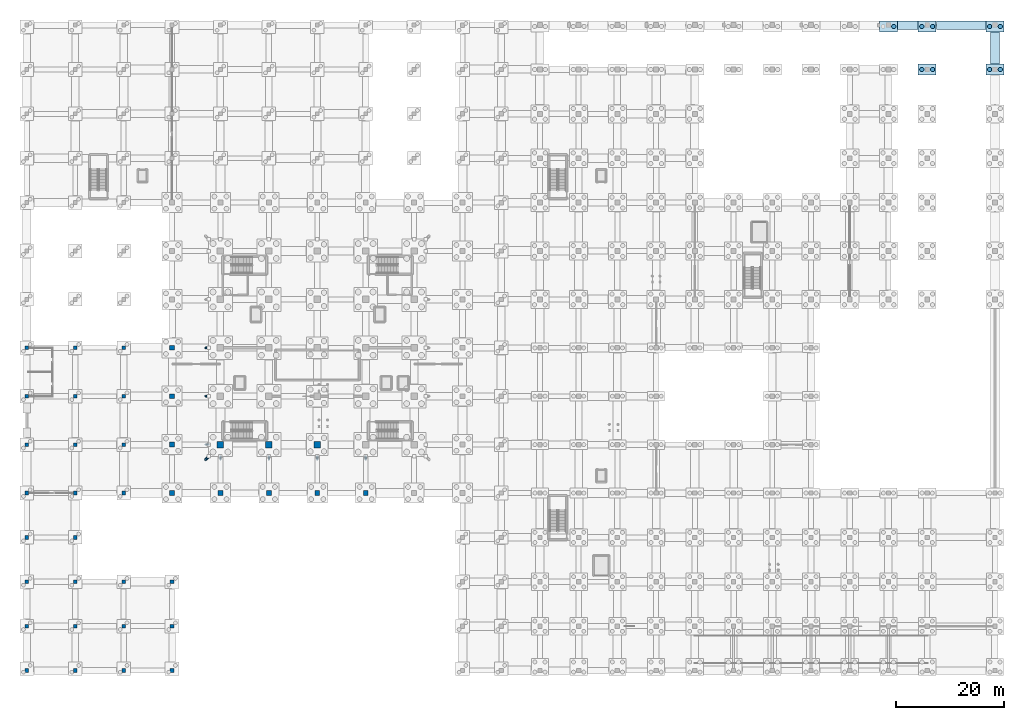
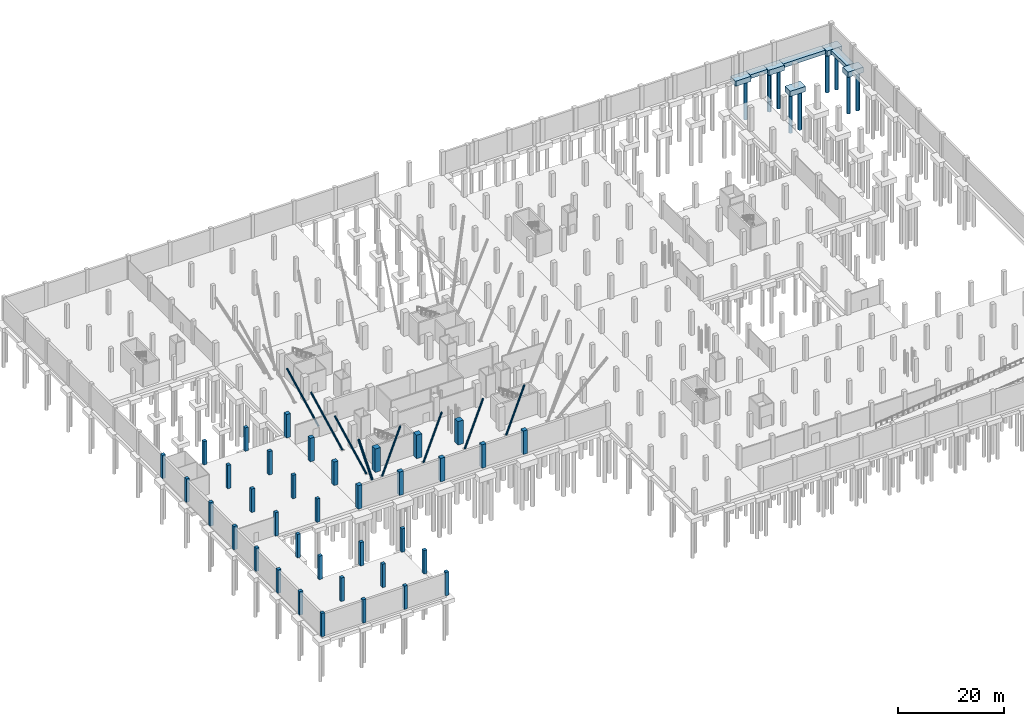
# One storey, part 12 of 42: 45 columns, 9 piles, 8 footings.
"""IFC4 building model written with IfcOpenShell, lengths in metres."""

from ifc_helpers import new_model, si_unit, direction, frame, origin, origin_2d, place, context, subcontext, project, spatial, rectangle, circle, hollow_circle, extrude, material, material_profile, profile_set, type_object, element, save


model = new_model("IFC4")

# Units and contexts
model_context = context("Model", 3, precision=1e-05, world=origin(), true_north=direction((0.0, 1.0)))
body_context = subcontext(model_context, "Body", "Model", "MODEL_VIEW")
ifc_project = project(units=[si_unit("LENGTHUNIT", "METRE"), si_unit("AREAUNIT", "SQUARE_METRE"), si_unit("VOLUMEUNIT", "CUBIC_METRE"), si_unit("PLANEANGLEUNIT", "RADIAN"), si_unit("MASSUNIT", "GRAM", prefix="KILO")], contexts=[model_context])

# Site, building, storey
site_placement = place(None, origin())
site = spatial("IfcSite", under=ifc_project, at=site_placement, CompositionType="ELEMENT")
building_placement = place(site_placement, origin())
building = spatial("IfcBuilding", under=site, at=building_placement, Name="Sundgate Opera House", CompositionType="ELEMENT")
storey_placement = place(building_placement, frame((0.0, 0.0, -5.39990234375)))
storey = spatial("IfcBuildingStorey", under=building, at=storey_placement, Name="B01", CompositionType="ELEMENT", Elevation=-5.39990234375)

# Footings
ifc_material_1 = material(Name="Concrete C40/50", Category="concrete")
footing_type_1 = type_object("IfcFootingType", Name="FT-PC-3360x2000x1200", PredefinedType="PILE_CAP", material=ifc_material_1)
for number, where, z_axis, x_axis, name in (
    (1, (160.199951171875, 119.75, -1.2001953125), (0.0, 0.0, 1.0), (1.0, 0.0, 0.0), "Pile Cap F0279"),
    (2, (167.39990234375, 111.75, -1.2001953125), (0.0, 0.0, 1.0), (1.0, 0.0, 0.0), "Pile Cap F0290"),
    (3, (167.39990234375, 119.75, -1.2001953125), (0.0, 0.0, 1.0), (1.0, 0.0, 0.0), "Pile Cap F0291"),
    (4, (180.0, 111.75, -1.2001953125), (0.0, 0.0, 1.0), (1.0, 0.0, 0.0), "Pile Cap F0302"),
    (5, (180.0, 119.75, -1.2001953125), (0.0, 0.0, 1.0), (1.0, 0.0, 0.0), "Pile Cap F0303"),
):
    element("IfcFooting", number, at=place(storey_placement, frame(where, z_axis=z_axis, x_axis=x_axis)), inside=storey, type_object=footing_type_1, Name=name, PredefinedType="PILE_CAP", context=body_context, shape_type="SweptSolid", body=[
        extrude(rectangle(XDim=3.360107421875, YDim=2.0, at=origin_2d()), origin(), (0.0, 0.0, 1.0), 1.199951171875),
    ])
ifc_material_2 = material(Name="Concrete C35/45", Category="concrete")
footing_type_2 = type_object("IfcFootingType", Name="FT-STR-1600x900", PredefinedType="STRIP_FOOTING", material=ifc_material_2)
footing_1_placement = place(storey_placement, frame((163.800048828125, 120.0, -0.900146484375), z_axis=(0.0, 0.0, 1.0), x_axis=(1.0, 0.0, 0.0)))
element("IfcFooting", 6, at=footing_1_placement, inside=storey, type_object=footing_type_2, Name="Retaining Wall Strip Footing F0791", PredefinedType="STRIP_FOOTING", context=body_context, shape_type="SweptSolid", body=[
    extrude(rectangle(XDim=3.7900390625, YDim=1.60009765625, at=origin_2d()), origin(), (0.0, 0.0, 1.0), 0.89990234375),
])
footing_2_placement = place(storey_placement, frame((173.699951171875, 120.0, -0.900146484375), z_axis=(0.0, 0.0, 1.0), x_axis=(1.0, 0.0, 0.0)))
element("IfcFooting", 7, at=footing_2_placement, inside=storey, type_object=footing_type_2, Name="Retaining Wall Strip Footing F0792", PredefinedType="STRIP_FOOTING", context=body_context, shape_type="SweptSolid", body=[
    extrude(rectangle(XDim=9.18994140625, YDim=1.60009765625, at=origin_2d()), origin(), (0.0, 0.0, 1.0), 0.89990234375),
])
footing_3_placement = place(storey_placement, frame((180.0, 115.75, -0.900146484375), z_axis=(0.0, 0.0, 1.0), x_axis=(1.0, 0.0, 0.0)))
element("IfcFooting", 8, at=footing_3_placement, inside=storey, type_object=footing_type_2, Name="Retaining Wall Strip Footing F0799", PredefinedType="STRIP_FOOTING", context=body_context, shape_type="SweptSolid", body=[
    extrude(rectangle(XDim=1.60009765625, YDim=5.949951171875, at=origin_2d()), origin(), (0.0, 0.0, 1.0), 0.89990234375),
])

# Piles
ifc_material_3 = material(Name="Concrete C40/50", Category="concrete")
ifc_material_profile_1 = material_profile(ifc_material_3, circle(Radius=0.39990234375, at=origin_2d()), Name="PILE D800")
ifc_profile_set_1 = profile_set([ifc_material_profile_1], Name="Concrete C40/50")
pile_type = type_object("IfcPileType", Name="PL-800", PredefinedType="BORED", material=ifc_profile_set_1)
for number, where, z_axis, x_axis, name in (
    (9, (161.199951171875, 119.75, -1.10009765625), (0.0, 0.0, -1.0), (1.0, 0.0, 0.0), "Rock-Socketed Pile P0824"),
    (10, (166.39990234375, 111.75, -1.10009765625), (0.0, 0.0, -1.0), (1.0, 0.0, 0.0), "Rock-Socketed Pile P0863"),
    (11, (168.39990234375, 111.75, -1.10009765625), (0.0, 0.0, -1.0), (1.0, 0.0, 0.0), "Rock-Socketed Pile P0864"),
    (12, (166.39990234375, 119.75, -1.10009765625), (0.0, 0.0, -1.0), (1.0, 0.0, 0.0), "Rock-Socketed Pile P0865"),
    (13, (168.39990234375, 119.75, -1.10009765625), (0.0, 0.0, -1.0), (1.0, 0.0, 0.0), "Rock-Socketed Pile P0866"),
    (14, (179.0, 111.75, -1.10009765625), (0.0, 0.0, -1.0), (1.0, 0.0, 0.0), "Rock-Socketed Pile P0905"),
    (15, (181.0, 111.75, -1.10009765625), (0.0, 0.0, -1.0), (1.0, 0.0, 0.0), "Rock-Socketed Pile P0906"),
    (16, (179.0, 119.75, -1.10009765625), (0.0, 0.0, -1.0), (1.0, 0.0, 0.0), "Rock-Socketed Pile P0907"),
    (17, (181.0, 119.75, -1.10009765625), (0.0, 0.0, -1.0), (1.0, 0.0, 0.0), "Rock-Socketed Pile P0908"),
):
    element("IfcPile", number, at=place(storey_placement, frame(where, z_axis=z_axis, x_axis=x_axis)), inside=storey, type_object=pile_type, Name=name, PredefinedType="BORED", context=body_context, shape_type="SweptSolid", body=[
        extrude(circle(Radius=0.39990234375, at=origin_2d()), origin(), (0.0, 0.0, 1.0), 9.10009765625),
    ])

# Columns
ifc_material_4 = material(Name="Steel S355ML", Category="steel")
ifc_material_profile_2 = material_profile(ifc_material_4, hollow_circle(Radius=0.203125, WallThickness=0.02001953125, at=origin_2d()), Name="CHS 406.4x20.0")
ifc_profile_set_2 = profile_set([ifc_material_profile_2], Name="Steel S355ML")
column_type_1 = type_object("IfcColumnType", Name="CL-CHS-406", PredefinedType="COLUMN", material=ifc_profile_set_2)
for number, where, z_axis, x_axis, name in (
    (18, (36.0, 39.800048828125, 0.0), (0.0, -0.400670920662, 0.916222032772), (1.0, 0.0, 0.0), "Cantilever Raking Column C1264"),
    (19, (45.0, 39.800048828125, 0.0), (0.0, -0.400670920662, 0.916222032772), (1.0, 0.0, 0.0), "Cantilever Raking Column C1265"),
    (20, (54.0, 39.800048828125, 0.0), (0.0, -0.400670920662, 0.916222032772), (1.0, 0.0, 0.0), "Cantilever Raking Column C1266"),
    (21, (63.0, 39.800048828125, 0.0), (0.0, -0.400670920662, 0.916222032772), (1.0, 0.0, 0.0), "Cantilever Raking Column C1267"),
    (22, (33.800048828125, 42.0, 0.0), (-0.400670920662, 0.0, 0.916222032772), (0.0, -1.0, 0.0), "Cantilever Raking Column C1274"),
    (23, (33.800048828125, 51.0, 0.0), (-0.400670920662, 0.0, 0.916222032772), (0.0, -1.0, 0.0), "Cantilever Raking Column C1275"),
    (24, (33.800048828125, 60.0, 0.0), (-0.400670920662, 0.0, 0.916222032772), (0.0, -1.0, 0.0), "Cantilever Raking Column C1276"),
):
    element("IfcColumn", number, at=place(storey_placement, frame(where, z_axis=z_axis, x_axis=x_axis)), inside=storey, type_object=column_type_1, Name=name, PredefinedType="COLUMN", context=body_context, shape_type="SweptSolid", body=[
        extrude(hollow_circle(Radius=0.203125, WallThickness=0.02001953125, at=origin_2d()), origin(), (0.0, 0.0, 1.0), 16.9716796875),
    ])
ifc_material_5 = material(Name="Steel S355ML", Category="steel")
ifc_material_profile_3 = material_profile(ifc_material_5, hollow_circle(Radius=0.25390625, WallThickness=0.02490234375, at=origin_2d()), Name="CHS 508x25.0")
ifc_profile_set_3 = profile_set([ifc_material_profile_3], Name="Steel S355ML")
column_type_2 = type_object("IfcColumnType", Name="CL-CHS-508", PredefinedType="COLUMN", material=ifc_profile_set_3)
column_placement = place(storey_placement, frame((33.800048828125, 39.800048828125, 0.0), z_axis=(-0.371927502201, -0.371927502201, 0.850493895459), x_axis=(0.707106781187, -0.707106781187, 0.0)))
element("IfcColumn", 25, at=column_placement, inside=storey, type_object=column_type_2, Name="Cantilever Raking Column C1284", PredefinedType="COLUMN", context=body_context, shape_type="SweptSolid", body=[
    extrude(hollow_circle(Radius=0.25390625, WallThickness=0.02490234375, at=origin_2d()), origin(), (0.0, 0.0, 1.0), 18.283203125),
])
ifc_material_6 = material(Name="Concrete C45/55", Category="concrete")
ifc_material_profile_4 = material_profile(ifc_material_6, rectangle(XDim=1.199951171875, YDim=1.199951171875, at=origin_2d()), Name="RC 1200x1200")
ifc_profile_set_4 = profile_set([ifc_material_profile_4], Name="Concrete C45/55")
column_type_3 = type_object("IfcColumnType", Name="CL-RC-1200", PredefinedType="COLUMN", material=ifc_profile_set_4)
for number, where, z_axis, x_axis, name in (
    (26, (36.0, 42.0, 0.0), (0.0, 0.0, 1.0), (1.0, 0.0, 0.0), "B01 Column C0220"),
    (27, (45.0, 42.0, 0.0), (0.0, 0.0, 1.0), (1.0, 0.0, 0.0), "B01 Column C0285"),
    (28, (54.0, 42.0, 0.0), (0.0, 0.0, 1.0), (1.0, 0.0, 0.0), "B01 Column C0345"),
):
    element("IfcColumn", number, at=place(storey_placement, frame(where, z_axis=z_axis, x_axis=x_axis)), inside=storey, type_object=column_type_3, Name=name, PredefinedType="COLUMN", context=body_context, shape_type="SweptSolid", body=[
        extrude(rectangle(XDim=1.199951171875, YDim=1.199951171875, at=origin_2d()), origin(), (0.0, 0.0, 1.0), 5.39990234375),
    ])
ifc_material_7 = material(Name="Concrete C40/50", Category="concrete")
ifc_material_profile_5 = material_profile(ifc_material_7, rectangle(XDim=0.699951171875, YDim=0.699951171875, at=origin_2d()), Name="RC 700x700")
ifc_profile_set_5 = profile_set([ifc_material_profile_5], Name="Concrete C40/50")
column_type_4 = type_object("IfcColumnType", Name="CL-RC-700", PredefinedType="COLUMN", material=ifc_profile_set_5)
for number, where, z_axis, x_axis, name in (
    (29, (0.0, 0.0, 0.0), (0.0, 0.0, 1.0), (1.0, 0.0, 0.0), "B01 Column C0001"),
    (30, (0.0, 8.25, 0.0), (0.0, 0.0, 1.0), (1.0, 0.0, 0.0), "B01 Column C0004"),
    (31, (0.0, 16.5, 0.0), (0.0, 0.0, 1.0), (1.0, 0.0, 0.0), "B01 Column C0007"),
    (32, (0.0, 24.75, 0.0), (0.0, 0.0, 1.0), (1.0, 0.0, 0.0), "B01 Column C0010"),
    (33, (0.0, 33.0, 0.0), (0.0, 0.0, 1.0), (1.0, 0.0, 0.0), "B01 Column C0013"),
    (34, (0.0, 42.0, 0.0), (0.0, 0.0, 1.0), (1.0, 0.0, 0.0), "B01 Column C0016"),
    (35, (0.0, 51.0, 0.0), (0.0, 0.0, 1.0), (1.0, 0.0, 0.0), "B01 Column C0019"),
    (36, (0.0, 60.0, 0.0), (0.0, 0.0, 1.0), (1.0, 0.0, 0.0), "B01 Column C0022"),
    (37, (9.0, 0.0, 0.0), (0.0, 0.0, 1.0), (1.0, 0.0, 0.0), "B01 Column C0049"),
    (38, (9.0, 8.25, 0.0), (0.0, 0.0, 1.0), (1.0, 0.0, 0.0), "B01 Column C0052"),
    (39, (9.0, 16.5, 0.0), (0.0, 0.0, 1.0), (1.0, 0.0, 0.0), "B01 Column C0055"),
    (40, (9.0, 24.75, 0.0), (0.0, 0.0, 1.0), (1.0, 0.0, 0.0), "B01 Column C0058"),
    (41, (9.0, 33.0, 0.0), (0.0, 0.0, 1.0), (1.0, 0.0, 0.0), "B01 Column C0061"),
    (42, (9.0, 42.0, 0.0), (0.0, 0.0, 1.0), (1.0, 0.0, 0.0), "B01 Column C0064"),
    (43, (9.0, 51.0, 0.0), (0.0, 0.0, 1.0), (1.0, 0.0, 0.0), "B01 Column C0067"),
    (44, (9.0, 60.0, 0.0), (0.0, 0.0, 1.0), (1.0, 0.0, 0.0), "B01 Column C0070"),
    (45, (18.0, 0.0, 0.0), (0.0, 0.0, 1.0), (1.0, 0.0, 0.0), "B01 Column C0101"),
    (46, (18.0, 8.25, 0.0), (0.0, 0.0, 1.0), (1.0, 0.0, 0.0), "B01 Column C0104"),
    (47, (18.0, 16.5, 0.0), (0.0, 0.0, 1.0), (1.0, 0.0, 0.0), "B01 Column C0107"),
    (48, (18.0, 33.0, 0.0), (0.0, 0.0, 1.0), (1.0, 0.0, 0.0), "B01 Column C0110"),
    (49, (18.0, 42.0, 0.0), (0.0, 0.0, 1.0), (1.0, 0.0, 0.0), "B01 Column C0113"),
    (50, (18.0, 51.0, 0.0), (0.0, 0.0, 1.0), (1.0, 0.0, 0.0), "B01 Column C0116"),
    (51, (18.0, 60.0, 0.0), (0.0, 0.0, 1.0), (1.0, 0.0, 0.0), "B01 Column C0119"),
    (52, (27.0, 0.0, 0.0), (0.0, 0.0, 1.0), (1.0, 0.0, 0.0), "B01 Column C0149"),
    (53, (27.0, 8.25, 0.0), (0.0, 0.0, 1.0), (1.0, 0.0, 0.0), "B01 Column C0152"),
    (54, (27.0, 16.5, 0.0), (0.0, 0.0, 1.0), (1.0, 0.0, 0.0), "B01 Column C0155"),
):
    element("IfcColumn", number, at=place(storey_placement, frame(where, z_axis=z_axis, x_axis=x_axis)), inside=storey, type_object=column_type_4, Name=name, PredefinedType="COLUMN", context=body_context, shape_type="SweptSolid", body=[
        extrude(rectangle(XDim=0.699951171875, YDim=0.699951171875, at=origin_2d()), origin(), (0.0, 0.0, 1.0), 5.39990234375),
    ])
ifc_material_8 = material(Name="Concrete C40/50", Category="concrete")
ifc_material_profile_6 = material_profile(ifc_material_8, rectangle(XDim=0.89990234375, YDim=0.89990234375, at=origin_2d()), Name="RC 900x900")
ifc_profile_set_6 = profile_set([ifc_material_profile_6], Name="Concrete C40/50")
column_type_5 = type_object("IfcColumnType", Name="CL-RC-900", PredefinedType="COLUMN", material=ifc_profile_set_6)
for number, where, z_axis, x_axis, name in (
    (55, (27.0, 33.0, 0.0), (0.0, 0.0, 1.0), (1.0, 0.0, 0.0), "B01 Column C0158"),
    (56, (27.0, 42.0, 0.0), (0.0, 0.0, 1.0), (1.0, 0.0, 0.0), "B01 Column C0163"),
    (57, (27.0, 51.0, 0.0), (0.0, 0.0, 1.0), (1.0, 0.0, 0.0), "B01 Column C0168"),
    (58, (27.0, 60.0, 0.0), (0.0, 0.0, 1.0), (1.0, 0.0, 0.0), "B01 Column C0173"),
    (59, (36.0, 33.0, 0.0), (0.0, 0.0, 1.0), (1.0, 0.0, 0.0), "B01 Column C0215"),
    (60, (45.0, 33.0, 0.0), (0.0, 0.0, 1.0), (1.0, 0.0, 0.0), "B01 Column C0280"),
    (61, (54.0, 33.0, 0.0), (0.0, 0.0, 1.0), (1.0, 0.0, 0.0), "B01 Column C0340"),
    (62, (63.0, 33.0, 0.0), (0.0, 0.0, 1.0), (1.0, 0.0, 0.0), "B01 Column C0395"),
):
    element("IfcColumn", number, at=place(storey_placement, frame(where, z_axis=z_axis, x_axis=x_axis)), inside=storey, type_object=column_type_5, Name=name, PredefinedType="COLUMN", context=body_context, shape_type="SweptSolid", body=[
        extrude(rectangle(XDim=0.89990234375, YDim=0.89990234375, at=origin_2d()), origin(), (0.0, 0.0, 1.0), 5.39990234375),
    ])

save(model, "model.ifc")
